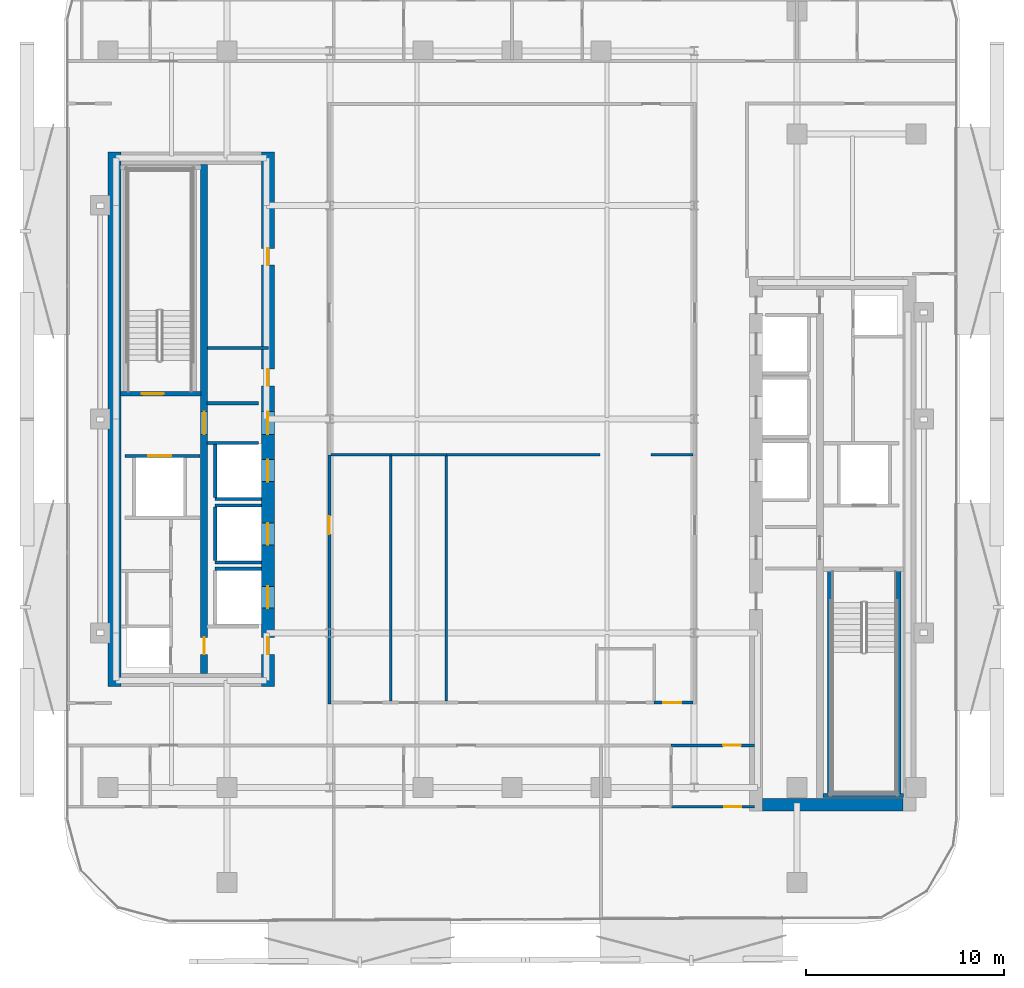
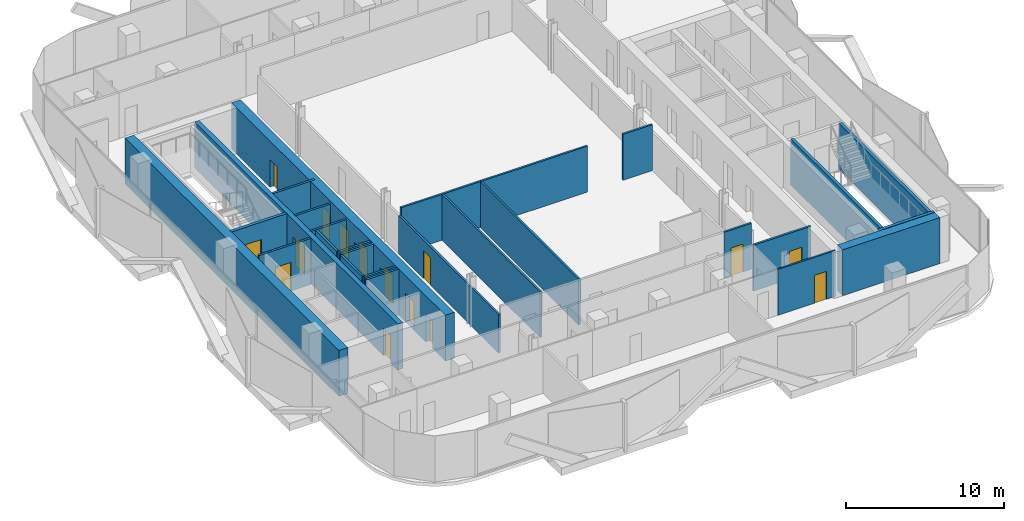
# One storey, part 4 of 17: 28 walls, 15 doors, 15 openings.
"""IFC4 building model written with IfcOpenShell, lengths in metres."""

import ifcopenshell
import ifcopenshell.guid

model = None  # the IFC model being written
_history = None  # IfcOwnerHistory: only IFC2X3 demands one
_inside = {}  # id of a spatial element -> (the spatial element, [elements in it])
_under = {}  # id of a project, library or spatial element -> (it, [spatial elements below it])
_declared = {}  # id of a project -> (the project, [libraries it declares])
_typed = {}  # id of a type object -> (the type object, [elements of that type])
_made_of = {}  # id of a material, layer set ... -> (it, [elements and type objects made of it])


def new_model(schema):
    """Start an empty IFC model of exactly this schema.

    Asked for "IFC4X3", IfcOpenShell would pick the latest addendum, in which some entities
    have other attributes; the version numbers below select the first issue.
    IFC2X3 requires an IfcOwnerHistory on every rooted entity: one is made here for all.
    """
    global model, _history
    if schema == "IFC4X3":
        model = ifcopenshell.file(schema_version=(4, 3, 0, 0))
    else:
        model = ifcopenshell.file(schema=schema)
    _inside.clear()
    _under.clear()
    _declared.clear()
    _typed.clear()
    _made_of.clear()
    _history = None
    if model.schema == "IFC2X3":
        org = make("IfcOrganization", Name="unknown")
        user = make(
            "IfcPersonAndOrganization",
            ThePerson=make("IfcPerson", FamilyName="unknown"),
            TheOrganization=org,
        )
        app = make(
            "IfcApplication",
            ApplicationDeveloper=org,
            Version="unknown",
            ApplicationFullName="unknown",
            ApplicationIdentifier="unknown",
        )
        _history = make(
            "IfcOwnerHistory",
            OwningUser=user,
            OwningApplication=app,
            ChangeAction="ADDED",
            CreationDate=0,
        )
    return model


def make(cls, **values):
    """One entity of the class cls with the attributes given. An attribute that is None is left unset."""
    return model.create_entity(
        cls, **{name: value for name, value in values.items() if value is not None}
    )


def rooted(cls, **values):
    """An entity with a GlobalId (a new one), such as an element, a storey or a relation."""
    return make(cls, GlobalId=ifcopenshell.guid.new(), OwnerHistory=_history, **values)


def si_unit(unit_type, name, prefix=None):
    """IfcSIUnit, for example si_unit("LENGTHUNIT", "METRE", prefix="MILLI")."""
    return make("IfcSIUnit", UnitType=unit_type, Prefix=prefix, Name=name)


def assignment(units):
    """IfcUnitAssignment: the units of a project."""
    return None if units is None else make("IfcUnitAssignment", Units=units)


def point(xyz):
    """IfcCartesianPoint."""
    return None if xyz is None else make("IfcCartesianPoint", Coordinates=xyz)


def direction(xyz):
    """IfcDirection."""
    return None if xyz is None else make("IfcDirection", DirectionRatios=xyz)


def frame(location, z_axis=None, x_axis=None):
    """IfcAxis2Placement3D, a coordinate frame: its origin and axes. An axis left out is left unset."""
    return make(
        "IfcAxis2Placement3D",
        Location=point(location),
        Axis=direction(z_axis),
        RefDirection=direction(x_axis),
    )


def frame_2d(location, x_axis=None):
    """IfcAxis2Placement2D, a coordinate frame in the plane: its origin and x axis."""
    return make(
        "IfcAxis2Placement2D", Location=point(location), RefDirection=direction(x_axis)
    )


def origin():
    """The frame at (0, 0, 0) with its axes left unset."""
    return frame((0.0, 0.0, 0.0))


def place(relative_to, where):
    """IfcLocalPlacement: puts the frame where relative to a parent placement (None: the world)."""
    return make(
        "IfcLocalPlacement", PlacementRelTo=relative_to, RelativePlacement=where
    )


def context(
    kind, dimensions, precision=None, world=None, true_north=None, identifier=None
):
    """IfcGeometricRepresentationContext, for example the 3D "Model" context."""
    return make(
        "IfcGeometricRepresentationContext",
        ContextIdentifier=identifier,
        ContextType=kind,
        CoordinateSpaceDimension=dimensions,
        Precision=precision,
        WorldCoordinateSystem=world,
        TrueNorth=true_north,
    )


def subcontext(parent, identifier, kind, view, scale=None):
    """IfcGeometricRepresentationSubContext, for example "Body" below "Model"."""
    return make(
        "IfcGeometricRepresentationSubContext",
        ContextIdentifier=identifier,
        ContextType=kind,
        ParentContext=parent,
        TargetScale=scale,
        TargetView=view,
    )


def project(units=None, contexts=None):
    """IfcProject with its units and contexts."""
    return rooted(
        "IfcProject",
        Name="project",
        RepresentationContexts=contexts,
        UnitsInContext=assignment(units),
    )


def spatial(cls, under=None, at=None, **own):
    """A site, building, storey or space (cls), placed at a placement, below another one or the project."""
    s = rooted(cls, ObjectPlacement=at, **own)
    if under is not None:
        _under.setdefault(under.id(), (under, []))[1].append(s)
    return s


def profile(cls, at=None, kind="AREA", **sizes):
    """A parametric profile (cls). Its sizes go by their IFC names, for example OverallWidth=200.0."""
    return make(cls, ProfileType=kind, Position=at, **sizes)


def rectangle(**sizes):
    """IfcRectangleProfileDef."""
    return profile("IfcRectangleProfileDef", **sizes)


def extrude(swept, where, along, depth):
    """IfcExtrudedAreaSolid: the profile swept, set in the frame where, extruded along a direction by depth."""
    return make(
        "IfcExtrudedAreaSolid",
        SweptArea=swept,
        Position=where,
        ExtrudedDirection=direction(along),
        Depth=depth,
    )


def shape(context_of_items, identifier, shape_type, items):
    """IfcShapeRepresentation: the items that make up one representation, for example the "Body"."""
    return make(
        "IfcShapeRepresentation",
        ContextOfItems=context_of_items,
        RepresentationIdentifier=identifier,
        RepresentationType=shape_type,
        Items=items,
    )


def material(Name=None, Category=None):
    """IfcMaterial."""
    return make("IfcMaterial", Name=Name, Category=Category)


def layer(
    of_material, thickness, ventilated=None, Name=None, Category=None, Priority=None
):
    """IfcMaterialLayer: one layer of a wall or slab, of a material (None: an air gap)."""
    return make(
        "IfcMaterialLayer",
        Material=of_material,
        LayerThickness=thickness,
        IsVentilated=ventilated,
        Name=Name,
        Category=Category,
        Priority=Priority,
    )


def layer_set(layers, Name=None):
    """IfcMaterialLayerSet."""
    return make("IfcMaterialLayerSet", MaterialLayers=layers, LayerSetName=Name)


def made_of(thing, what):
    """Note that an element or type object is made of a material, layer set ...; save() writes the relation."""
    if what is not None:
        _made_of.setdefault(what.id(), (what, []))[1].append(thing)
    return thing


def type_object(cls, material=None, **own):
    """A type object (cls), such as IfcWallType, which elements share."""
    return made_of(rooted(cls, **own), material)


def element(
    cls,
    number,
    at=None,
    inside=None,
    cuts=None,
    type_object=None,
    material=None,
    context=None,
    identifier="Body",
    shape_type=None,
    held_by="IfcProductDefinitionShape",
    body=None,
    shapes=None,
    **own,
):
    """One element of the class cls, such as IfcWall. Its Tag is "e" and its number.

    at: its placement. inside: the storey or other place that contains it. cuts: it is an
    opening in that element (IfcRelVoidsElement). A single representation is given by context,
    identifier, shape_type and body (its items); several are given by shapes. held_by: the class
    of the entity that holds the representations. save() writes the other relations.
    """
    e = rooted(cls, Tag="e%d" % number, ObjectPlacement=at, **own)
    if body is not None:
        shapes = [shape(context, identifier, shape_type, body)]
    if shapes is not None:
        e.Representation = make(held_by, Representations=shapes)
    if inside is not None:
        _inside.setdefault(inside.id(), (inside, []))[1].append(e)
    if cuts is not None:
        rooted(
            "IfcRelVoidsElement", RelatingBuildingElement=cuts, RelatedOpeningElement=e
        )
    if type_object is not None:
        _typed.setdefault(type_object.id(), (type_object, []))[1].append(e)
    return made_of(e, material)


def fill(opening, filler):
    """IfcRelFillsElement: the door or window that sits in an opening."""
    return rooted(
        "IfcRelFillsElement",
        RelatingOpeningElement=opening,
        RelatedBuildingElement=filler,
    )


def aggregate(whole, parts):
    """IfcRelAggregates: a whole, such as a stair, and the parts it consists of."""
    return rooted("IfcRelAggregates", RelatingObject=whole, RelatedObjects=parts)


def save(model, path):
    """Write the relations noted so far, then the file.

    IfcRelAggregates (storeys below a building ...), IfcRelContainedInSpatialStructure (elements
    in a storey), IfcRelDefinesByType, IfcRelAssociatesMaterial and IfcRelDeclares: one each for
    every whole, place, type object, material and project.
    """
    for whole, parts in _under.values():
        aggregate(whole, parts)
    for where, things in _inside.values():
        rooted(
            "IfcRelContainedInSpatialStructure",
            RelatedElements=things,
            RelatingStructure=where,
        )
    for kind, things in _typed.values():
        rooted("IfcRelDefinesByType", RelatedObjects=things, RelatingType=kind)
    for what, things in _made_of.values():
        rooted("IfcRelAssociatesMaterial", RelatedObjects=things, RelatingMaterial=what)
    for by, libraries in _declared.values():
        rooted("IfcRelDeclares", RelatingContext=by, RelatedDefinitions=libraries)
    model.write(path)


model = new_model("IFC4")

# Units and contexts
model_context = context("Model", 3, precision=1e-05, world=origin(), true_north=direction((0.0, 1.0)))
body_context = subcontext(model_context, "Body", "Model", "MODEL_VIEW")
ifc_project = project(units=[si_unit("LENGTHUNIT", "METRE"), si_unit("AREAUNIT", "SQUARE_METRE"), si_unit("VOLUMEUNIT", "CUBIC_METRE"), si_unit("PLANEANGLEUNIT", "RADIAN"), si_unit("MASSUNIT", "GRAM", prefix="KILO")], contexts=[model_context])

# Site, building, storey
site_placement = place(None, origin())
site = spatial("IfcSite", under=ifc_project, at=site_placement, CompositionType="ELEMENT")
building_placement = place(site_placement, origin())
building = spatial("IfcBuilding", under=site, at=building_placement, Name="Khairoan Windgate Tower", CompositionType="ELEMENT")
storey_placement = place(building_placement, frame((0.0, 0.0, 203.0)))
storey = spatial("IfcBuildingStorey", under=building, at=storey_placement, Name="L47", CompositionType="ELEMENT", Elevation=203.0)

# Walls
ifc_material_1 = material(Name="Concrete C40/50", Category="concrete")
ifc_layer_1 = layer(ifc_material_1, 0.159912109375, Name="Concrete C40/50")
ifc_layer_set_1 = layer_set([ifc_layer_1], Name="Concrete C40/50")
wall_type_1 = type_object("IfcWallType", Name="Core and Hoistway Enclosure Wall", PredefinedType="STANDARD", material=ifc_layer_set_1)
wall_1_placement = place(storey_placement, frame((-14.989990234375, -4.0400390625, 0.0), z_axis=(0.0, 0.0, 1.0), x_axis=(1.0, 0.0, 0.0)))
element("IfcWall", 1, at=wall_1_placement, inside=storey, type_object=wall_type_1, Name="L47 Lift PL4 Hoistway Divider S", PredefinedType="STANDARD", context=body_context, shape_type="SweptSolid", body=[
    extrude(rectangle(XDim=2.340087890625, YDim=0.159912109375, at=frame_2d((1.169921875, 0.0))), origin(), (0.0, 0.0, 1.0), 3.5400390625),
])
wall_2_placement = place(storey_placement, frame((-14.989990234375, -3.949951171875, 0.0), z_axis=(0.0, 0.0, 1.0), x_axis=(0.0, 1.0, 0.0)))
element("IfcWall", 2, at=wall_2_placement, inside=storey, type_object=wall_type_1, Name="L47 Lift PL4 Hoistway Back Wall", PredefinedType="STANDARD", context=body_context, shape_type="SweptSolid", body=[
    extrude(rectangle(XDim=2.699951171875, YDim=0.159912109375, at=frame_2d((1.35009765625, 0.0))), origin(), (0.0, 0.0, 1.0), 3.5400390625),
])
for number, where, z_axis, x_axis, name in (
    (3, (-14.989990234375, -7.239990234375, 0.0), (0.0, 0.0, 1.0), (1.0, 0.0, 0.0), "L47 Lift PL5 Hoistway Divider S"),
    (4, (-14.989990234375, -4.360107421875, 0.0), (0.0, 0.0, 1.0), (1.0, 0.0, 0.0), "L47 Lift PL5 Hoistway Divider N"),
):
    element("IfcWall", number, at=place(storey_placement, frame(where, z_axis=z_axis, x_axis=x_axis)), inside=storey, type_object=wall_type_1, Name=name, PredefinedType="STANDARD", context=body_context, shape_type="SweptSolid", body=[
        extrude(rectangle(XDim=2.340087890625, YDim=0.159912109375, at=frame_2d((1.169921875, 0.0))), origin(), (0.0, 0.0, 1.0), 3.5400390625),
    ])
wall_3_placement = place(storey_placement, frame((-14.989990234375, -7.14990234375, 0.0), z_axis=(0.0, 0.0, 1.0), x_axis=(0.0, 1.0, 0.0)))
element("IfcWall", 5, at=wall_3_placement, inside=storey, type_object=wall_type_1, Name="L47 Lift PL5 Hoistway Back Wall", PredefinedType="STANDARD", context=body_context, shape_type="SweptSolid", body=[
    extrude(rectangle(XDim=2.699951171875, YDim=0.159912109375, at=frame_2d((1.35009765625, 0.0))), origin(), (0.0, 0.0, 1.0), 3.5400390625),
])
wall_4_placement = place(storey_placement, frame((-14.989990234375, -7.56005859375, 0.0), z_axis=(0.0, 0.0, 1.0), x_axis=(1.0, 0.0, 0.0)))
element("IfcWall", 6, at=wall_4_placement, inside=storey, type_object=wall_type_1, Name="L47 Lift PL6 Hoistway Divider N", PredefinedType="STANDARD", context=body_context, shape_type="SweptSolid", body=[
    extrude(rectangle(XDim=2.340087890625, YDim=0.159912109375, at=frame_2d((1.169921875, 0.0))), origin(), (0.0, 0.0, 1.0), 3.5400390625),
])

# Wall, opening, door
wall_5_placement = place(storey_placement, frame((-19.550048828125, -1.860107421875, 0.0), z_axis=(0.0, 0.0, 1.0), x_axis=(1.0, 0.0, 0.0)))
wall_5 = element("IfcWall", 7, at=wall_5_placement, inside=storey, type_object=wall_type_1, Name="L47 Core Shaft Wall SW-FL2-L47", PredefinedType="STANDARD", context=body_context, shape_type="SweptSolid", body=[
    extrude(rectangle(XDim=3.800048828125, YDim=0.159912109375, at=frame_2d((1.89990234375, 0.0))), origin(), (0.0, 0.0, 1.0), 3.5400390625),
])
opening_1_placement = place(wall_5_placement, frame((1.179931640625, 0.0, 0.0)))
opening_1 = element("IfcOpeningElement", 8, at=opening_1_placement, cuts=wall_5, Name="Opening LD-FL", PredefinedType="OPENING", context=body_context, shape_type="SweptSolid", body=[
    extrude(rectangle(XDim=1.14990234375, YDim=2.199951171875, at=frame_2d((0.574951171875, 1.10009765625))), frame((0.0, 0.08984375, 0.0), z_axis=(0.0, -1.0, 0.0), x_axis=(1.0, 0.0, 0.0)), (0.0, 0.0, 1.0), 0.179931640625),
])
ifc_material_2 = material(Name="Steel S355", Category="steel")
door_type_1 = type_object("IfcDoorType", Name="Firefighting Lift Sliding Landing Door LD-FL 1150x2200", OperationType="DOUBLE_DOOR_SLIDING", PredefinedType="DOOR", material=ifc_material_2)
door_1_placement = place(opening_1_placement, origin())
door_1 = element("IfcDoor", 9, at=door_1_placement, inside=storey, type_object=door_type_1, Name="L47 Firefighting Lift FL2 Landing Door", OperationType="DOUBLE_DOOR_SLIDING", OverallHeight=2.199951171875, OverallWidth=1.14990234375, PredefinedType="DOOR", context=body_context, shape_type="SweptSolid", body=[
    extrude(rectangle(XDim=1.14990234375, YDim=2.199951171875, at=frame_2d((0.574951171875, 1.10009765625))), frame((0.0, 0.02490234375, 0.0), z_axis=(0.0, -1.0, 0.0), x_axis=(1.0, 0.0, 0.0)), (0.0, 0.0, 1.0), 0.050048828125),
])
fill(opening_1, door_1)

# Walls
for number, where, z_axis, x_axis, name in (
    (10, (-15.39990234375, 0.800048828125, 0.0), (0.0, 0.0, 1.0), (1.0, 0.0, 0.0), "L47 Core Shaft Wall SW-WV1-L47"),
    (11, (-15.39990234375, -1.199951171875, 0.0), (0.0, 0.0, 1.0), (1.0, 0.0, 0.0), "L47 Core Shaft Wall SW-WV2-L47"),
):
    element("IfcWall", number, at=place(storey_placement, frame(where, z_axis=z_axis, x_axis=x_axis)), inside=storey, type_object=wall_type_1, Name=name, PredefinedType="STANDARD", context=body_context, shape_type="SweptSolid", body=[
        extrude(rectangle(XDim=2.599853515625, YDim=0.159912109375, at=frame_2d((1.2998046875, 0.0))), origin(), (0.0, 0.0, 1.0), 3.5400390625),
    ])
ifc_material_3 = material(Name="Acoustic Fire-Rated Gypsum Partition", Category="gypsum")
ifc_layer_2 = layer(ifc_material_3, 0.139892578125, Name="Acoustic Fire-Rated Gypsum Partition")
ifc_layer_set_2 = layer_set([ifc_layer_2], Name="Acoustic Fire-Rated Gypsum Partition")
wall_type_2 = type_object("IfcWallType", Name="Inter-Tenancy Compartment Wall", PredefinedType="PARTITIONING", material=ifc_layer_set_2)
wall_6_placement = place(storey_placement, frame((-6.1201171875, -14.2451171875, 0.0), z_axis=(0.0, 0.0, 1.0), x_axis=(0.0, 1.0, 0.0)))
element("IfcWall", 12, at=wall_6_placement, inside=storey, type_object=wall_type_2, Name="L47 Interior Partition 038", PredefinedType="PARTITIONING", context=body_context, shape_type="SweptSolid", body=[
    extrude(rectangle(XDim=12.375, YDim=0.139892578125, at=frame_2d((6.1875, 0.0))), origin(), (0.0, 0.0, 1.0), 3.5400390625),
])
wall_7_placement = place(storey_placement, frame((-9.14501953125, -1.800048828125, 0.0), z_axis=(0.0, 0.0, 1.0), x_axis=(1.0, 0.0, 0.0)))
element("IfcWall", 13, at=wall_7_placement, inside=storey, type_object=wall_type_2, Name="L47 Interior Partition 039", PredefinedType="PARTITIONING", context=body_context, shape_type="SweptSolid", body=[
    extrude(rectangle(XDim=3.02490234375, YDim=0.139892578125, at=frame_2d((1.512451171875, 0.0))), origin(), (0.0, 0.0, 1.0), 3.5400390625),
])
wall_8_placement = place(storey_placement, frame((-3.320068359375, -14.2451171875, 0.0), z_axis=(0.0, 0.0, 1.0), x_axis=(0.0, 1.0, 0.0)))
element("IfcWall", 14, at=wall_8_placement, inside=storey, type_object=wall_type_2, Name="L47 Interior Partition 040", PredefinedType="PARTITIONING", context=body_context, shape_type="SweptSolid", body=[
    extrude(rectangle(XDim=12.375, YDim=0.139892578125, at=frame_2d((6.1875, 0.0))), origin(), (0.0, 0.0, 1.0), 3.5400390625),
])
wall_9_placement = place(storey_placement, frame((-6.1201171875, -1.800048828125, 0.0), z_axis=(0.0, 0.0, 1.0), x_axis=(1.0, 0.0, 0.0)))
element("IfcWall", 15, at=wall_9_placement, inside=storey, type_object=wall_type_2, Name="L47 Interior Partition 041", PredefinedType="PARTITIONING", context=body_context, shape_type="SweptSolid", body=[
    extrude(rectangle(XDim=2.800048828125, YDim=0.139892578125, at=frame_2d((1.39990234375, 0.0))), origin(), (0.0, 0.0, 1.0), 3.5400390625),
])
wall_10_placement = place(storey_placement, frame((-3.320068359375, -1.800048828125, 0.0), z_axis=(0.0, 0.0, 1.0), x_axis=(1.0, 0.0, 0.0)))
element("IfcWall", 16, at=wall_10_placement, inside=storey, type_object=wall_type_2, Name="L47 Interior Partition 043", PredefinedType="PARTITIONING", context=body_context, shape_type="SweptSolid", body=[
    extrude(rectangle(XDim=7.760009765625, YDim=0.139892578125, at=frame_2d((3.8798828125, 0.0))), origin(), (0.0, 0.0, 1.0), 3.5400390625),
])
wall_11_placement = place(storey_placement, frame((7.02001953125, -1.800048828125, 0.0), z_axis=(0.0, 0.0, 1.0), x_axis=(1.0, 0.0, 0.0)))
element("IfcWall", 17, at=wall_11_placement, inside=storey, type_object=wall_type_2, Name="L47 Interior Partition 045", PredefinedType="PARTITIONING", context=body_context, shape_type="SweptSolid", body=[
    extrude(rectangle(XDim=2.125, YDim=0.139892578125, at=frame_2d((1.0625, 0.0))), origin(), (0.0, 0.0, 1.0), 3.5400390625),
])

# Wall, opening, door
ifc_material_4 = material(Name="Gypsum Stud Partition", Category="gypsum")
ifc_layer_3 = layer(ifc_material_4, 0.1201171875, Name="Gypsum Stud Partition")
ifc_layer_set_3 = layer_set([ifc_layer_3], Name="Gypsum Stud Partition")
wall_type_3 = type_object("IfcWallType", Name="Internal Room Partition Wall", PredefinedType="PARTITIONING", material=ifc_layer_set_3)
wall_12_placement = place(storey_placement, frame((8.0400390625, -19.570068359375, 0.0), z_axis=(0.0, 0.0, 1.0), x_axis=(1.0, 0.0, 0.0)))
wall_12 = element("IfcWall", 18, at=wall_12_placement, inside=storey, type_object=wall_type_3, Name="L47 Interior Partition 076", PredefinedType="PARTITIONING", context=body_context, shape_type="SweptSolid", body=[
    extrude(rectangle(XDim=4.199951171875, YDim=0.1201171875, at=frame_2d((2.10009765625, 0.0))), origin(), (0.0, 0.0, 1.0), 3.5400390625),
])
opening_2_placement = place(wall_12_placement, frame((2.67822265625, 0.0, 0.0)))
opening_2 = element("IfcOpeningElement", 19, at=opening_2_placement, cuts=wall_12, Name="Opening ID-RM", PredefinedType="OPENING", context=body_context, shape_type="SweptSolid", body=[
    extrude(rectangle(XDim=0.860107421875, YDim=2.14990234375, at=frame_2d((0.43017578125, 1.074951171875))), frame((0.0, 0.070068359375, 0.0), z_axis=(0.0, -1.0, 0.0), x_axis=(1.0, 0.0, 0.0)), (0.0, 0.0, 1.0), 0.14013671875),
])
ifc_material_5 = material(Name="Teak Veneer Timber Leaf", Category="wood")
door_type_2 = type_object("IfcDoorType", Name="Internal Bedroom and Office Door ID-RM 860x2150", OperationType="NOTDEFINED", PredefinedType="DOOR", material=ifc_material_5)
door_2_placement = place(opening_2_placement, origin())
door_2 = element("IfcDoor", 20, at=door_2_placement, inside=storey, type_object=door_type_2, Name="L47 L47-56-L47-57 Door", OperationType="SINGLE_SWING_RIGHT", OverallHeight=2.14990234375, OverallWidth=0.860107421875, PredefinedType="DOOR", context=body_context, shape_type="SweptSolid", body=[
    extrude(rectangle(XDim=0.860107421875, YDim=2.14990234375, at=frame_2d((0.43017578125, 1.074951171875))), frame((0.0, 0.02490234375, 0.0), z_axis=(0.0, -1.0, 0.0), x_axis=(1.0, 0.0, 0.0)), (0.0, 0.0, 1.0), 0.050048828125),
])
fill(opening_2, door_2)

# Wall
ifc_material_6 = material(Name="Concrete C40/50", Category="concrete")
ifc_layer_4 = layer(ifc_material_6, 0.159912109375, Name="Concrete C40/50")
ifc_layer_set_4 = layer_set([ifc_layer_4], Name="Concrete C40/50")
wall_type_4 = type_object("IfcWallType", Name="Plant and Refuge Compartment Wall", PredefinedType="PARTITIONING", material=ifc_layer_set_4)
wall_13_placement = place(storey_placement, frame((-15.375, 3.60009765625, 0.0), z_axis=(0.0, 0.0, 1.0), x_axis=(1.0, 0.0, 0.0)))
element("IfcWall", 21, at=wall_13_placement, inside=storey, type_object=wall_type_4, Name="L47 Interior Partition 006", PredefinedType="PARTITIONING", context=body_context, shape_type="SweptSolid", body=[
    extrude(rectangle(XDim=3.06494140625, YDim=0.159912109375, at=frame_2d((1.532470703125, 0.0))), origin(), (0.0, 0.0, 1.0), 3.5400390625),
])

# Wall, opening, door
ifc_material_7 = material(Name="Acoustic Fire-Rated Gypsum Partition", Category="gypsum")
ifc_layer_5 = layer(ifc_material_7, 0.14990234375, Name="Acoustic Fire-Rated Gypsum Partition")
ifc_layer_set_5 = layer_set([ifc_layer_5], Name="Acoustic Fire-Rated Gypsum Partition")
wall_type_5 = type_object("IfcWallType", Name="Rated Corridor Partition Wall", PredefinedType="PARTITIONING", material=ifc_layer_set_5)
wall_14_placement = place(storey_placement, frame((-9.219970703125, -14.39501953125, 0.0), z_axis=(0.0, 0.0, 1.0), x_axis=(0.0, 1.0, 0.0)))
wall_14 = element("IfcWall", 22, at=wall_14_placement, inside=storey, type_object=wall_type_5, Name="L47 Interior Partition 010", PredefinedType="PARTITIONING", context=body_context, shape_type="SweptSolid", body=[
    extrude(rectangle(XDim=12.594970703125, YDim=0.14990234375, at=frame_2d((6.29736328125, 0.0))), origin(), (0.0, 0.0, 1.0), 2.951904296875),
])
opening_3_placement = place(wall_14_placement, frame((8.592041015625, 0.0, 0.0)))
opening_3 = element("IfcOpeningElement", 23, at=opening_3_placement, cuts=wall_14, Name="Opening FD-ENT", PredefinedType="OPENING", context=body_context, shape_type="SweptSolid", body=[
    extrude(rectangle(XDim=0.89990234375, YDim=2.14990234375, at=frame_2d((0.449951171875, 1.074951171875))), frame((0.0, 0.0849609375, 0.0), z_axis=(0.0, -1.0, 0.0), x_axis=(1.0, 0.0, 0.0)), (0.0, 0.0, 1.0), 0.169921875),
])
ifc_material_8 = material(Name="Timber Fire-Rated Core", Category="wood")
door_type_3 = type_object("IfcDoorType", Name="Unit and Office Fire Entrance Door FD-ENT 900x2150", OperationType="NOTDEFINED", PredefinedType="DOOR", material=ifc_material_8)
door_3_placement = place(opening_3_placement, origin())
door_3 = element("IfcDoor", 24, at=door_3_placement, inside=storey, type_object=door_type_3, Name="L47 L47-27-L47-31 Door", OperationType="SINGLE_SWING_LEFT", OverallHeight=2.14990234375, OverallWidth=0.89990234375, PredefinedType="DOOR", context=body_context, shape_type="SweptSolid", body=[
    extrude(rectangle(XDim=0.89990234375, YDim=2.14990234375, at=frame_2d((0.449951171875, 1.074951171875))), frame((0.0, 0.02490234375, 0.0), z_axis=(0.0, -1.0, 0.0), x_axis=(1.0, 0.0, 0.0)), (0.0, 0.0, 1.0), 0.050048828125),
])
fill(opening_3, door_3)

wall_15_placement = place(storey_placement, frame((7.179931640625, -14.320068359375, 0.0), z_axis=(0.0, 0.0, 1.0), x_axis=(1.0, 0.0, 0.0)))
wall_15 = element("IfcWall", 25, at=wall_15_placement, inside=storey, type_object=wall_type_5, Name="L47 Interior Partition 030", PredefinedType="PARTITIONING", context=body_context, shape_type="SweptSolid", body=[
    extrude(rectangle(XDim=1.965087890625, YDim=0.14990234375, at=frame_2d((0.982421875, 0.0))), origin(), (0.0, 0.0, 1.0), 3.5400390625),
])
opening_4_placement = place(wall_15_placement, frame((0.4599609375, 0.0, 0.0)))
opening_4 = element("IfcOpeningElement", 26, at=opening_4_placement, cuts=wall_15, Name="Opening FD-ENT", PredefinedType="OPENING", context=body_context, shape_type="SweptSolid", body=[
    extrude(rectangle(XDim=0.89990234375, YDim=2.14990234375, at=frame_2d((0.449951171875, 1.074951171875))), frame((0.0, 0.0849609375, 0.0), z_axis=(0.0, -1.0, 0.0), x_axis=(1.0, 0.0, 0.0)), (0.0, 0.0, 1.0), 0.169921875),
])
door_4_placement = place(opening_4_placement, origin())
door_4 = element("IfcDoor", 27, at=door_4_placement, inside=storey, type_object=door_type_3, Name="L47 L47-30-L47-35 Door", OperationType="SINGLE_SWING_LEFT", OverallHeight=2.14990234375, OverallWidth=0.89990234375, PredefinedType="DOOR", context=body_context, shape_type="SweptSolid", body=[
    extrude(rectangle(XDim=0.89990234375, YDim=2.14990234375, at=frame_2d((0.449951171875, 1.074951171875))), frame((0.0, 0.02490234375, 0.0), z_axis=(0.0, -1.0, 0.0), x_axis=(1.0, 0.0, 0.0)), (0.0, 0.0, 1.0), 0.050048828125),
])
fill(opening_4, door_4)

wall_16_placement = place(storey_placement, frame((8.0400390625, -16.47998046875, 0.0), z_axis=(0.0, 0.0, 1.0), x_axis=(1.0, 0.0, 0.0)))
wall_16 = element("IfcWall", 28, at=wall_16_placement, inside=storey, type_object=wall_type_5, Name="L47 Interior Partition 036", PredefinedType="PARTITIONING", context=body_context, shape_type="SweptSolid", body=[
    extrude(rectangle(XDim=4.199951171875, YDim=0.14990234375, at=frame_2d((2.10009765625, 0.0))), origin(), (0.0, 0.0, 1.0), 3.5400390625),
])
opening_5_placement = place(wall_16_placement, frame((2.62353515625, 0.0, 0.0)))
opening_5 = element("IfcOpeningElement", 29, at=opening_5_placement, cuts=wall_16, Name="Opening FD-ENT", PredefinedType="OPENING", context=body_context, shape_type="SweptSolid", body=[
    extrude(rectangle(XDim=0.89990234375, YDim=2.14990234375, at=frame_2d((0.449951171875, 1.074951171875))), frame((0.0, 0.0849609375, 0.0), z_axis=(0.0, -1.0, 0.0), x_axis=(1.0, 0.0, 0.0)), (0.0, 0.0, 1.0), 0.169921875),
])
door_5_placement = place(opening_5_placement, origin())
door_5 = element("IfcDoor", 30, at=door_5_placement, inside=storey, type_object=door_type_3, Name="L47 L47-30-L47-56 Door", OperationType="SINGLE_SWING_RIGHT", OverallHeight=2.14990234375, OverallWidth=0.89990234375, PredefinedType="DOOR", context=body_context, shape_type="SweptSolid", body=[
    extrude(rectangle(XDim=0.89990234375, YDim=2.14990234375, at=frame_2d((0.449951171875, 1.074951171875))), frame((0.0, 0.02490234375, 0.0), z_axis=(0.0, -1.0, 0.0), x_axis=(1.0, 0.0, 0.0)), (0.0, 0.0, 1.0), 0.050048828125),
])
fill(opening_5, door_5)

# Walls
ifc_material_9 = material(Name="Concrete C60/75", Category="concrete")
ifc_layer_6 = layer(ifc_material_9, 0.64990234375, Name="Concrete C60/75")
ifc_layer_set_6 = layer_set([ifc_layer_6], Name="Concrete C60/75")
wall_type_6 = type_object("IfcWallType", Name="Shear Wall CW-E2 650mm", PredefinedType="SHEAR", material=ifc_layer_set_6)
wall_17_placement = place(storey_placement, frame((12.64990234375, -19.47509765625, 0.0), z_axis=(0.0, 0.0, 1.0), x_axis=(1.0, 0.0, 0.0)))
element("IfcWall", 31, at=wall_17_placement, inside=storey, type_object=wall_type_6, Name="E Core South Shear Wall L47", PredefinedType="SHEAR", context=body_context, shape_type="SweptSolid", body=[
    extrude(rectangle(XDim=7.10009765625, YDim=0.64990234375, at=frame_2d((3.550048828125, 0.0))), origin(), (0.0, 0.0, 1.0), 3.5400390625),
])
ifc_material_10 = material(Name="Concrete C60/75", Category="concrete")
ifc_layer_7 = layer(ifc_material_10, 0.64990234375, Name="Concrete C60/75")
ifc_layer_set_7 = layer_set([ifc_layer_7], Name="Concrete C60/75")
wall_type_7 = type_object("IfcWallType", Name="Shear Wall CW-W2 650mm", PredefinedType="SHEAR", material=ifc_layer_set_7)
wall_18_placement = place(storey_placement, frame((-20.074951171875, -13.5, 0.0), z_axis=(0.0, 0.0, 1.0), x_axis=(0.0, 1.0, 0.0)))
element("IfcWall", 32, at=wall_18_placement, inside=storey, type_object=wall_type_7, Name="W Core West Shear Wall L47", PredefinedType="SHEAR", context=body_context, shape_type="SweptSolid", body=[
    extrude(rectangle(XDim=27.0, YDim=0.64990234375, at=frame_2d((13.5, 0.0))), origin(), (0.0, 0.0, 1.0), 3.5400390625),
])

# Wall, openings, doors
wall_19_placement = place(storey_placement, frame((-12.324951171875, -13.5, 0.0), z_axis=(0.0, 0.0, 1.0), x_axis=(0.0, 1.0, 0.0)))
wall_19 = element("IfcWall", 33, at=wall_19_placement, inside=storey, type_object=wall_type_7, Name="W Core East Shear Wall L47", PredefinedType="SHEAR", context=body_context, shape_type="SweptSolid", body=[
    extrude(rectangle(XDim=27.0, YDim=0.64990234375, at=frame_2d((13.5, 0.0))), origin(), (0.0, 0.0, 1.0), 3.5400390625),
])
opening_6_placement = place(wall_19_placement, frame((10.35009765625, 0.0, 0.0)))
opening_6 = element("IfcOpeningElement", 34, at=opening_6_placement, cuts=wall_19, Name="Opening LD-PL", PredefinedType="OPENING", context=body_context, shape_type="SweptSolid", body=[
    extrude(rectangle(XDim=1.10009765625, YDim=2.199951171875, at=frame_2d((0.550048828125, 1.10009765625))), frame((0.0, 0.3349609375, 0.0), z_axis=(0.0, -1.0, 0.0), x_axis=(1.0, 0.0, 0.0)), (0.0, 0.0, 1.0), 0.669921875),
])
opening_7_placement = place(wall_19_placement, frame((7.14990234375, 0.0, 0.0)))
opening_7 = element("IfcOpeningElement", 35, at=opening_7_placement, cuts=wall_19, Name="Opening LD-PL", PredefinedType="OPENING", context=body_context, shape_type="SweptSolid", body=[
    extrude(rectangle(XDim=1.10009765625, YDim=2.199951171875, at=frame_2d((0.550048828125, 1.10009765625))), frame((0.0, 0.3349609375, 0.0), z_axis=(0.0, -1.0, 0.0), x_axis=(1.0, 0.0, 0.0)), (0.0, 0.0, 1.0), 0.669921875),
])
opening_8_placement = place(wall_19_placement, frame((3.949951171875, 0.0, 0.0)))
opening_8 = element("IfcOpeningElement", 36, at=opening_8_placement, cuts=wall_19, Name="Opening LD-PL", PredefinedType="OPENING", context=body_context, shape_type="SweptSolid", body=[
    extrude(rectangle(XDim=1.10009765625, YDim=2.199951171875, at=frame_2d((0.550048828125, 1.10009765625))), frame((0.0, 0.3349609375, 0.0), z_axis=(0.0, -1.0, 0.0), x_axis=(1.0, 0.0, 0.0)), (0.0, 0.0, 1.0), 0.669921875),
])
opening_9_placement = place(wall_19_placement, frame((15.175048828125, 0.0, 0.0)))
opening_9 = element("IfcOpeningElement", 37, at=opening_9_placement, cuts=wall_19, Name="Opening FD-SRV", PredefinedType="OPENING", context=body_context, shape_type="SweptSolid", body=[
    extrude(rectangle(XDim=0.85009765625, YDim=2.10009765625, at=frame_2d((0.425048828125, 1.050048828125))), frame((0.0, 0.3349609375, 0.0), z_axis=(0.0, -1.0, 0.0), x_axis=(1.0, 0.0, 0.0)), (0.0, 0.0, 1.0), 0.669921875),
])
opening_10_placement = place(wall_19_placement, frame((21.27490234375, 0.0, 0.0)))
opening_10 = element("IfcOpeningElement", 38, at=opening_10_placement, cuts=wall_19, Name="Opening FD-SRV", PredefinedType="OPENING", context=body_context, shape_type="SweptSolid", body=[
    extrude(rectangle(XDim=0.85009765625, YDim=2.10009765625, at=frame_2d((0.425048828125, 1.050048828125))), frame((0.0, 0.3349609375, 0.0), z_axis=(0.0, -1.0, 0.0), x_axis=(1.0, 0.0, 0.0)), (0.0, 0.0, 1.0), 0.669921875),
])
opening_11_placement = place(wall_19_placement, frame((12.72509765625, 0.0, 0.0)))
opening_11 = element("IfcOpeningElement", 39, at=opening_11_placement, cuts=wall_19, Name="Opening FD-FFL", PredefinedType="OPENING", context=body_context, shape_type="SweptSolid", body=[
    extrude(rectangle(XDim=1.14990234375, YDim=2.199951171875, at=frame_2d((0.574951171875, 1.10009765625))), frame((0.0, 0.3349609375, 0.0), z_axis=(0.0, -1.0, 0.0), x_axis=(1.0, 0.0, 0.0)), (0.0, 0.0, 1.0), 0.669921875),
])
opening_12_placement = place(wall_19_placement, frame((1.625, 0.0, 0.0)))
opening_12 = element("IfcOpeningElement", 40, at=opening_12_placement, cuts=wall_19, Name="Opening FD-SRV", PredefinedType="OPENING", context=body_context, shape_type="SweptSolid", body=[
    extrude(rectangle(XDim=0.85009765625, YDim=2.10009765625, at=frame_2d((0.425048828125, 1.050048828125))), frame((0.0, 0.3349609375, 0.0), z_axis=(0.0, -1.0, 0.0), x_axis=(1.0, 0.0, 0.0)), (0.0, 0.0, 1.0), 0.669921875),
])
ifc_material_11 = material(Name="Steel S355", Category="steel")
door_type_4 = type_object("IfcDoorType", Name="Core Service and Riser Fire Door FD-SRV 850x2100", OperationType="NOTDEFINED", PredefinedType="DOOR", material=ifc_material_11)
door_6_placement = place(opening_9_placement, origin())
door_6 = element("IfcDoor", 41, at=door_6_placement, inside=storey, type_object=door_type_4, Name="L47 Upper Core Room Door B1-1", OperationType="SINGLE_SWING_LEFT", OverallHeight=2.10009765625, OverallWidth=0.85009765625, PredefinedType="DOOR", context=body_context, shape_type="SweptSolid", body=[
    extrude(rectangle(XDim=0.85009765625, YDim=2.10009765625, at=frame_2d((0.425048828125, 1.050048828125))), frame((0.0, 0.02490234375, 0.0), z_axis=(0.0, -1.0, 0.0), x_axis=(1.0, 0.0, 0.0)), (0.0, 0.0, 1.0), 0.050048828125),
])
fill(opening_9, door_6)
door_7_placement = place(opening_10_placement, origin())
door_7 = element("IfcDoor", 42, at=door_7_placement, inside=storey, type_object=door_type_4, Name="L47 Upper Core Room Door B1-2", OperationType="SINGLE_SWING_RIGHT", OverallHeight=2.10009765625, OverallWidth=0.85009765625, PredefinedType="DOOR", context=body_context, shape_type="SweptSolid", body=[
    extrude(rectangle(XDim=0.85009765625, YDim=2.10009765625, at=frame_2d((0.425048828125, 1.050048828125))), frame((0.0, 0.02490234375, 0.0), z_axis=(0.0, -1.0, 0.0), x_axis=(1.0, 0.0, 0.0)), (0.0, 0.0, 1.0), 0.050048828125),
])
fill(opening_10, door_7)
door_8_placement = place(opening_12_placement, origin())
door_8 = element("IfcDoor", 43, at=door_8_placement, inside=storey, type_object=door_type_4, Name="L47 West Core Service Vestibule Outer Door", OperationType="SINGLE_SWING_RIGHT", OverallHeight=2.10009765625, OverallWidth=0.85009765625, PredefinedType="DOOR", context=body_context, shape_type="SweptSolid", body=[
    extrude(rectangle(XDim=0.85009765625, YDim=2.10009765625, at=frame_2d((0.425048828125, 1.050048828125))), frame((0.0, 0.02490234375, 0.0), z_axis=(0.0, -1.0, 0.0), x_axis=(1.0, 0.0, 0.0)), (0.0, 0.0, 1.0), 0.050048828125),
])
fill(opening_12, door_8)
ifc_material_12 = material(Name="Steel S355", Category="steel")
door_type_5 = type_object("IfcDoorType", Name="Firefighting Lobby Fire Door FD-FFL 1150x2200", OperationType="NOTDEFINED", PredefinedType="DOOR", material=ifc_material_12)
door_9_placement = place(opening_11_placement, origin())
door_9 = element("IfcDoor", 44, at=door_9_placement, inside=storey, type_object=door_type_5, Name="L47 West Core Vestibule Entry Door", OperationType="SINGLE_SWING_RIGHT", OverallHeight=2.199951171875, OverallWidth=1.14990234375, PredefinedType="DOOR", context=body_context, shape_type="SweptSolid", body=[
    extrude(rectangle(XDim=1.14990234375, YDim=2.199951171875, at=frame_2d((0.574951171875, 1.10009765625))), frame((0.0, 0.02490234375, 0.0), z_axis=(0.0, -1.0, 0.0), x_axis=(1.0, 0.0, 0.0)), (0.0, 0.0, 1.0), 0.050048828125),
])
fill(opening_11, door_9)
ifc_material_13 = material(Name="Anodised Bronze Aluminium 6063-T6", Category="aluminium")
door_type_6 = type_object("IfcDoorType", Name="Passenger Lift Sliding Landing Door LD-PL 1100x2200", OperationType="DOUBLE_DOOR_SLIDING", PredefinedType="DOOR", material=ifc_material_13)
door_10_placement = place(opening_6_placement, origin())
door_10 = element("IfcDoor", 45, at=door_10_placement, inside=storey, type_object=door_type_6, Name="L47 Lift PL4 Sliding Landing Door", OperationType="DOUBLE_DOOR_SLIDING", OverallHeight=2.199951171875, OverallWidth=1.10009765625, PredefinedType="DOOR", context=body_context, shape_type="SweptSolid", body=[
    extrude(rectangle(XDim=1.10009765625, YDim=2.199951171875, at=frame_2d((0.550048828125, 1.10009765625))), frame((0.0, 0.02490234375, 0.0), z_axis=(0.0, -1.0, 0.0), x_axis=(1.0, 0.0, 0.0)), (0.0, 0.0, 1.0), 0.050048828125),
])
fill(opening_6, door_10)
door_11_placement = place(opening_7_placement, origin())
door_11 = element("IfcDoor", 46, at=door_11_placement, inside=storey, type_object=door_type_6, Name="L47 Lift PL5 Sliding Landing Door", OperationType="DOUBLE_DOOR_SLIDING", OverallHeight=2.199951171875, OverallWidth=1.10009765625, PredefinedType="DOOR", context=body_context, shape_type="SweptSolid", body=[
    extrude(rectangle(XDim=1.10009765625, YDim=2.199951171875, at=frame_2d((0.550048828125, 1.10009765625))), frame((0.0, 0.02490234375, 0.0), z_axis=(0.0, -1.0, 0.0), x_axis=(1.0, 0.0, 0.0)), (0.0, 0.0, 1.0), 0.050048828125),
])
fill(opening_7, door_11)
door_12_placement = place(opening_8_placement, origin())
door_12 = element("IfcDoor", 47, at=door_12_placement, inside=storey, type_object=door_type_6, Name="L47 Lift PL6 Sliding Landing Door", OperationType="DOUBLE_DOOR_SLIDING", OverallHeight=2.199951171875, OverallWidth=1.10009765625, PredefinedType="DOOR", context=body_context, shape_type="SweptSolid", body=[
    extrude(rectangle(XDim=1.10009765625, YDim=2.199951171875, at=frame_2d((0.550048828125, 1.10009765625))), frame((0.0, 0.02490234375, 0.0), z_axis=(0.0, -1.0, 0.0), x_axis=(1.0, 0.0, 0.0)), (0.0, 0.0, 1.0), 0.050048828125),
])
fill(opening_8, door_12)

ifc_material_14 = material(Name="Concrete C60/75", Category="concrete")
ifc_layer_8 = layer(ifc_material_14, 0.35009765625, Name="Concrete C60/75")
ifc_layer_set_8 = layer_set([ifc_layer_8], Name="Concrete C60/75")
wall_type_8 = type_object("IfcWallType", Name="Shear Wall SW-1 350mm", PredefinedType="SHEAR", material=ifc_layer_set_8)
wall_20_placement = place(storey_placement, frame((-15.550048828125, -12.85009765625, 0.0), z_axis=(0.0, 0.0, 1.0), x_axis=(0.0, 1.0, 0.0)))
wall_20 = element("IfcWall", 48, at=wall_20_placement, inside=storey, type_object=wall_type_8, Name="W Core Spine Shear Wall L47", PredefinedType="SHEAR", context=body_context, shape_type="SweptSolid", body=[
    extrude(rectangle(XDim=25.7001953125, YDim=0.35009765625, at=frame_2d((12.85009765625, 0.0))), origin(), (0.0, 0.0, 1.0), 3.5400390625),
])
opening_13_placement = place(wall_20_placement, frame((12.074951171875, 0.0, 0.0)))
opening_13 = element("IfcOpeningElement", 49, at=opening_13_placement, cuts=wall_20, Name="Opening FD-FFL", PredefinedType="OPENING", context=body_context, shape_type="SweptSolid", body=[
    extrude(rectangle(XDim=1.14990234375, YDim=2.199951171875, at=frame_2d((0.574951171875, 1.10009765625))), frame((0.0, 0.18505859375, 0.0), z_axis=(0.0, -1.0, 0.0), x_axis=(1.0, 0.0, 0.0)), (0.0, 0.0, 1.0), 0.3701171875),
])
opening_14_placement = place(wall_20_placement, frame((0.97509765625, 0.0, 0.0)))
opening_14 = element("IfcOpeningElement", 50, at=opening_14_placement, cuts=wall_20, Name="Opening FD-SRV", PredefinedType="OPENING", context=body_context, shape_type="SweptSolid", body=[
    extrude(rectangle(XDim=0.85009765625, YDim=2.10009765625, at=frame_2d((0.425048828125, 1.050048828125))), frame((0.0, 0.18505859375, 0.0), z_axis=(0.0, -1.0, 0.0), x_axis=(1.0, 0.0, 0.0)), (0.0, 0.0, 1.0), 0.3701171875),
])
door_13_placement = place(opening_14_placement, origin())
door_13 = element("IfcDoor", 51, at=door_13_placement, inside=storey, type_object=door_type_4, Name="L47 West Core Service Passage Inner Door", OperationType="SINGLE_SWING_LEFT", OverallHeight=2.10009765625, OverallWidth=0.85009765625, PredefinedType="DOOR", context=body_context, shape_type="SweptSolid", body=[
    extrude(rectangle(XDim=0.85009765625, YDim=2.10009765625, at=frame_2d((0.425048828125, 1.050048828125))), frame((0.0, 0.02490234375, 0.0), z_axis=(0.0, -1.0, 0.0), x_axis=(1.0, 0.0, 0.0)), (0.0, 0.0, 1.0), 0.050048828125),
])
fill(opening_14, door_13)
door_14_placement = place(opening_13_placement, origin())
door_14 = element("IfcDoor", 52, at=door_14_placement, inside=storey, type_object=door_type_5, Name="L47 West Firefighting Lobby Fire Door", OperationType="SINGLE_SWING_LEFT", OverallHeight=2.199951171875, OverallWidth=1.14990234375, PredefinedType="DOOR", context=body_context, shape_type="SweptSolid", body=[
    extrude(rectangle(XDim=1.14990234375, YDim=2.199951171875, at=frame_2d((0.574951171875, 1.10009765625))), frame((0.0, 0.02490234375, 0.0), z_axis=(0.0, -1.0, 0.0), x_axis=(1.0, 0.0, 0.0)), (0.0, 0.0, 1.0), 0.050048828125),
])
fill(opening_13, door_14)

# Walls
ifc_material_15 = material(Name="Concrete C50/60", Category="concrete")
ifc_layer_9 = layer(ifc_material_15, 0.219970703125, Name="Concrete C50/60")
ifc_layer_set_9 = layer_set([ifc_layer_9], Name="Concrete C50/60")
wall_type_9 = type_object("IfcWallType", Name="Shear Wall SW-ST 220mm", PredefinedType="SHEAR", material=ifc_layer_set_9)
for number, where, z_axis, x_axis, name in (
    (53, (16.0400390625, -19.010009765625, 0.0), (0.0, 0.0, 1.0), (0.0, 1.0, 0.0), "L47 Stair ST1 West Bearing Wall"),
    (54, (19.530029296875, -19.010009765625, 0.0), (0.0, 0.0, 1.0), (0.0, 1.0, 0.0), "L47 Stair ST1 East Bearing Wall"),
):
    element("IfcWall", number, at=place(storey_placement, frame(where, z_axis=z_axis, x_axis=x_axis)), inside=storey, type_object=wall_type_9, Name=name, PredefinedType="SHEAR", context=body_context, shape_type="SweptSolid", body=[
        extrude(rectangle(XDim=11.419921875, YDim=0.219970703125, at=frame_2d((5.7099609375, 0.0))), origin(), (0.0, 0.0, 1.0), 3.5400390625),
    ])
wall_21_placement = place(storey_placement, frame((15.705078125, -19.010009765625, 0.0), z_axis=(0.0, 0.0, 1.0), x_axis=(1.0, 0.0, 0.0)))
element("IfcWall", 55, at=wall_21_placement, inside=storey, type_object=wall_type_9, Name="L47 Stair ST1 South Bearing Wall", PredefinedType="SHEAR", context=body_context, shape_type="SweptSolid", body=[
    extrude(rectangle(XDim=4.06494140625, YDim=0.219970703125, at=frame_2d((2.032470703125, 0.0))), origin(), (0.0, 0.0, 1.0), 3.5400390625),
])

# Wall, opening, door
wall_22_placement = place(storey_placement, frame((-19.77001953125, 1.2900390625, 0.0), z_axis=(0.0, 0.0, 1.0), x_axis=(1.0, 0.0, 0.0)))
wall_22 = element("IfcWall", 56, at=wall_22_placement, inside=storey, type_object=wall_type_9, Name="L47 Stair ST2 South Bearing Wall", PredefinedType="SHEAR", context=body_context, shape_type="SweptSolid", body=[
    extrude(rectangle(XDim=4.06494140625, YDim=0.219970703125, at=frame_2d((2.032470703125, 0.0))), origin(), (0.0, 0.0, 1.0), 3.5400390625),
])
opening_15_placement = place(wall_22_placement, frame((1.080078125, 0.0, 0.0)))
opening_15 = element("IfcOpeningElement", 57, at=opening_15_placement, cuts=wall_22, Name="Opening FD-ST", PredefinedType="OPENING", context=body_context, shape_type="SweptSolid", body=[
    extrude(rectangle(XDim=1.10009765625, YDim=2.199951171875, at=frame_2d((0.550048828125, 1.10009765625))), frame((0.0, 0.119873046875, 0.0), z_axis=(0.0, -1.0, 0.0), x_axis=(1.0, 0.0, 0.0)), (0.0, 0.0, 1.0), 0.239990234375),
])
ifc_material_16 = material(Name="Steel S355", Category="steel")
door_type_7 = type_object("IfcDoorType", Name="Smokeproof Stair Fire Door FD-ST 1100x2200", OperationType="NOTDEFINED", PredefinedType="DOOR", material=ifc_material_16)
door_15_placement = place(opening_15_placement, origin())
door_15 = element("IfcDoor", 58, at=door_15_placement, inside=storey, type_object=door_type_7, Name="L47 Stair ST2 Fire Door", OperationType="SINGLE_SWING_RIGHT", OverallHeight=2.199951171875, OverallWidth=1.10009765625, PredefinedType="DOOR", context=body_context, shape_type="SweptSolid", body=[
    extrude(rectangle(XDim=1.10009765625, YDim=2.199951171875, at=frame_2d((0.550048828125, 1.10009765625))), frame((0.0, 0.02490234375, 0.0), z_axis=(0.0, -1.0, 0.0), x_axis=(1.0, 0.0, 0.0)), (0.0, 0.0, 1.0), 0.050048828125),
])
fill(opening_15, door_15)

save(model, "model.ifc")
